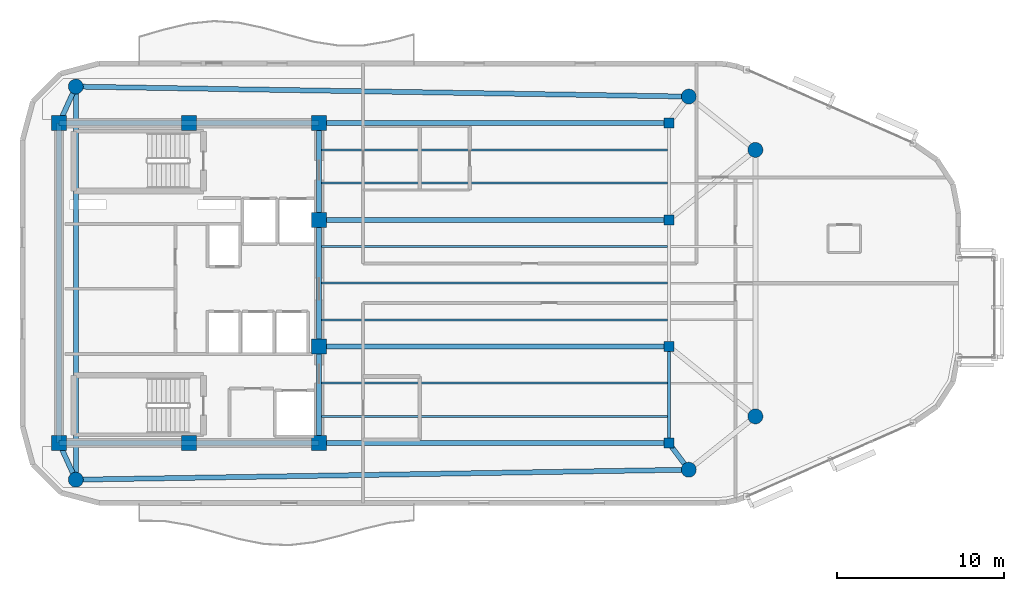
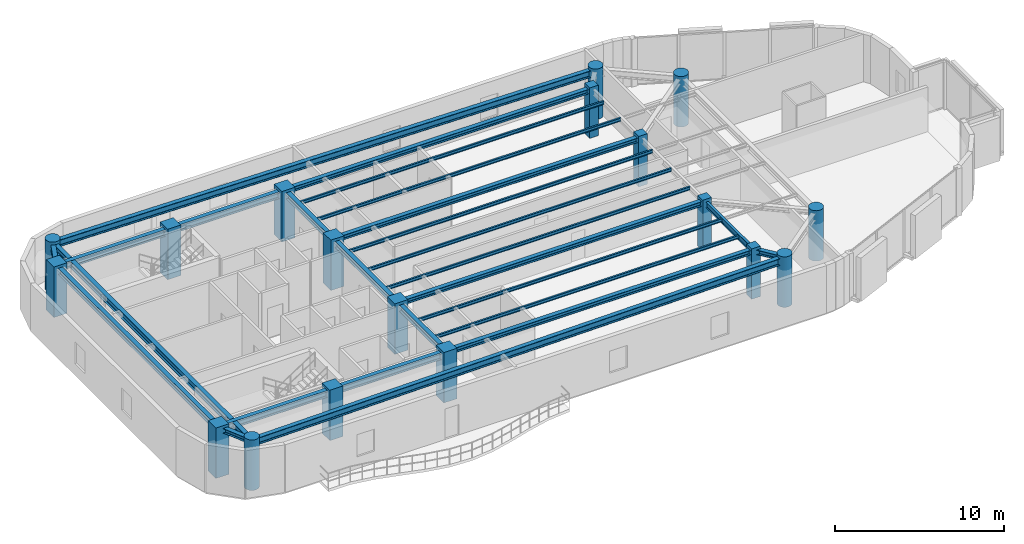
# One storey, part 1 of 13: 24 beams, 18 columns.
"""IFC4 building model written with IfcOpenShell, lengths in metres."""

from ifc_helpers import new_model, si_unit, direction, frame, origin, origin_2d, place, context, subcontext, project, spatial, rectangle, circle, i_section, extrude, material, material_profile, profile_set, type_object, element, save


model = new_model("IFC4")

# Units and contexts
model_context = context("Model", 3, precision=1e-05, world=origin(), true_north=direction((0.0, 1.0)))
body_context = subcontext(model_context, "Body", "Model", "MODEL_VIEW")
ifc_project = project(units=[si_unit("LENGTHUNIT", "METRE"), si_unit("AREAUNIT", "SQUARE_METRE"), si_unit("VOLUMEUNIT", "CUBIC_METRE"), si_unit("PLANEANGLEUNIT", "RADIAN"), si_unit("MASSUNIT", "GRAM", prefix="KILO")], contexts=[model_context])

# Site, building, storey
site_placement = place(None, origin())
site = spatial("IfcSite", under=ifc_project, at=site_placement, CompositionType="ELEMENT")
building_placement = place(site_placement, origin())
building = spatial("IfcBuilding", under=site, at=building_placement, Name="An Khanh Terracotta Commons", CompositionType="ELEMENT")
storey_placement = place(building_placement, frame((0.0, 0.0, 288.0)))
storey = spatial("IfcBuildingStorey", under=building, at=storey_placement, Name="L75", CompositionType="ELEMENT", Elevation=288.0)

# Columns
ifc_material_1 = material(Name="Concrete C50/60", Category="concrete")
ifc_material_profile_1 = material_profile(ifc_material_1, circle(Radius=0.449951171875, at=origin_2d()), Name="CFST900")
ifc_profile_set_1 = profile_set([ifc_material_profile_1], Name="Concrete C50/60")
column_type_1 = type_object("IfcColumnType", Name="COL-CFST900", PredefinedType="COLUMN", material=ifc_profile_set_1)
for number, where, z_axis, x_axis, name in (
    (1, (22.60009765625, 12.199951171875, 0.0), (0.0, 0.0, 1.0), (1.0, 0.0, 0.0), "L75 Perimeter CFST Mega-Column MC-01"),
    (2, (59.39990234375, 12.800048828125, 0.0), (0.0, 0.0, 1.0), (1.0, 0.0, 0.0), "L75 Perimeter CFST Mega-Column MC-02"),
    (3, (63.39990234375, 16.0, 0.0), (0.0, 0.0, 1.0), (1.0, 0.0, 0.0), "L75 Perimeter CFST Mega-Column MC-03"),
    (4, (63.39990234375, 32.0, 0.0), (0.0, 0.0, 1.0), (1.0, 0.0, 0.0), "L75 Perimeter CFST Mega-Column MC-04"),
    (5, (59.39990234375, 35.199951171875, 0.0), (0.0, 0.0, 1.0), (1.0, 0.0, 0.0), "L75 Perimeter CFST Mega-Column MC-05"),
    (6, (22.60009765625, 35.800048828125, 0.0), (0.0, 0.0, 1.0), (1.0, 0.0, 0.0), "L75 Perimeter CFST Mega-Column MC-06"),
):
    element("IfcColumn", number, at=place(storey_placement, frame(where, z_axis=z_axis, x_axis=x_axis)), inside=storey, type_object=column_type_1, Name=name, PredefinedType="COLUMN", context=body_context, shape_type="SweptSolid", body=[
        extrude(circle(Radius=0.449951171875, at=origin_2d()), origin(), (0.0, 0.0, 1.0), 3.64990234375),
    ])
ifc_material_profile_2 = material_profile(ifc_material_1, rectangle(XDim=0.60009765625, YDim=0.60009765625, at=origin_2d()), Name="RC600x600")
ifc_profile_set_2 = profile_set([ifc_material_profile_2], Name="Concrete C50/60")
column_type_2 = type_object("IfcColumnType", Name="COL-RC600x600", PredefinedType="COLUMN", material=ifc_profile_set_2)
for number, where, z_axis, x_axis, name in (
    (7, (58.199951171875, 14.39990234375, 0.0), (0.0, 0.0, 1.0), (1.0, 0.0, 0.0), "L75 Interior Frame Column TC-01"),
    (8, (58.199951171875, 20.199951171875, 0.0), (0.0, 0.0, 1.0), (1.0, 0.0, 0.0), "L75 Interior Frame Column TC-02"),
    (9, (58.199951171875, 27.800048828125, 0.0), (0.0, 0.0, 1.0), (1.0, 0.0, 0.0), "L75 Interior Frame Column TC-03"),
    (10, (58.199951171875, 33.60009765625, 0.0), (0.0, 0.0, 1.0), (1.0, 0.0, 0.0), "L75 Interior Frame Column TC-04"),
):
    element("IfcColumn", number, at=place(storey_placement, frame(where, z_axis=z_axis, x_axis=x_axis)), inside=storey, type_object=column_type_2, Name=name, PredefinedType="COLUMN", context=body_context, shape_type="SweptSolid", body=[
        extrude(rectangle(XDim=0.60009765625, YDim=0.60009765625, at=origin_2d()), origin(), (0.0, 0.0, 1.0), 3.64990234375),
    ])
ifc_material_profile_3 = material_profile(ifc_material_1, rectangle(XDim=0.89990234375, YDim=0.89990234375, at=origin_2d()), Name="RC900x900")
ifc_profile_set_3 = profile_set([ifc_material_profile_3], Name="Concrete C50/60")
column_type_3 = type_object("IfcColumnType", Name="COL-RC900x900", PredefinedType="COLUMN", material=ifc_profile_set_3)
for number, where, z_axis, x_axis, name in (
    (11, (21.60009765625, 14.39990234375, 0.0), (0.0, 0.0, 1.0), (1.0, 0.0, 0.0), "L75 Core Boundary Column CC-01"),
    (12, (29.39990234375, 14.39990234375, 0.0), (0.0, 0.0, 1.0), (1.0, 0.0, 0.0), "L75 Core Boundary Column CC-02"),
    (13, (37.199951171875, 14.39990234375, 0.0), (0.0, 0.0, 1.0), (1.0, 0.0, 0.0), "L75 Core Boundary Column CC-03"),
    (14, (37.199951171875, 20.199951171875, 0.0), (0.0, 0.0, 1.0), (1.0, 0.0, 0.0), "L75 Core Boundary Column CC-04"),
    (15, (37.199951171875, 27.800048828125, 0.0), (0.0, 0.0, 1.0), (1.0, 0.0, 0.0), "L75 Core Boundary Column CC-05"),
    (16, (37.199951171875, 33.60009765625, 0.0), (0.0, 0.0, 1.0), (1.0, 0.0, 0.0), "L75 Core Boundary Column CC-06"),
    (17, (29.39990234375, 33.60009765625, 0.0), (0.0, 0.0, 1.0), (1.0, 0.0, 0.0), "L75 Core Boundary Column CC-07"),
    (18, (21.60009765625, 33.60009765625, 0.0), (0.0, 0.0, 1.0), (1.0, 0.0, 0.0), "L75 Core Boundary Column CC-08"),
):
    element("IfcColumn", number, at=place(storey_placement, frame(where, z_axis=z_axis, x_axis=x_axis)), inside=storey, type_object=column_type_3, Name=name, PredefinedType="COLUMN", context=body_context, shape_type="SweptSolid", body=[
        extrude(rectangle(XDim=0.89990234375, YDim=0.89990234375, at=origin_2d()), origin(), (0.0, 0.0, 1.0), 3.64990234375),
    ])

# Beams
ifc_material_2 = material(Name="Steel S355J2", Category="steel")
ifc_material_profile_4 = material_profile(ifc_material_2, i_section(OverallWidth=0.300048828125, OverallDepth=0.340087890625, WebThickness=0.011962890625, FlangeThickness=0.021484375, FilletRadius=0.027099609375, at=origin_2d()), Name="HEB340")
ifc_profile_set_4 = profile_set([ifc_material_profile_4], Name="Steel S355J2")
beam_type_1 = type_object("IfcBeamType", Name="BM-HEB340", PredefinedType="BEAM", material=ifc_profile_set_4)
for number, where, z_axis, x_axis, name in (
    (19, (37.199951171875, 14.39990234375, 3.280029296875), (1.0, 0.0, 0.0), (0.0, 1.0, 0.0), "L75 East Primary Floor Girder 1"),
    (20, (37.199951171875, 20.199951171875, 3.280029296875), (1.0, 0.0, 0.0), (0.0, 1.0, 0.0), "L75 East Primary Floor Girder 2"),
    (21, (37.199951171875, 27.800048828125, 3.280029296875), (1.0, 0.0, 0.0), (0.0, 1.0, 0.0), "L75 East Primary Floor Girder 3"),
    (22, (37.199951171875, 33.60009765625, 3.280029296875), (1.0, 0.0, 0.0), (0.0, 1.0, 0.0), "L75 East Primary Floor Girder 4"),
):
    element("IfcBeam", number, at=place(storey_placement, frame(where, z_axis=z_axis, x_axis=x_axis)), inside=storey, type_object=beam_type_1, Name=name, PredefinedType="BEAM", context=body_context, shape_type="SweptSolid", body=[
        extrude(i_section(OverallWidth=0.300048828125, OverallDepth=0.340087890625, WebThickness=0.011962890625, FlangeThickness=0.021484375, FilletRadius=0.027099609375, at=origin_2d()), origin(), (0.0, 0.0, 1.0), 21.0),
    ])
beam_1_placement = place(storey_placement, frame((22.60009765625, 12.199951171875, 3.280029296875), z_axis=(-0.413810555983, 0.910363017569, 0.0), x_axis=(-0.910363017569, -0.413810555983, 0.0)))
element("IfcBeam", 23, at=beam_1_placement, inside=storey, type_object=beam_type_1, Name="L75 Mega-Column Tie Girder 1", PredefinedType="BEAM", context=body_context, shape_type="SweptSolid", body=[
    extrude(i_section(OverallWidth=0.300048828125, OverallDepth=0.340087890625, WebThickness=0.011962890625, FlangeThickness=0.021484375, FilletRadius=0.027099609375, at=origin_2d()), origin(), (0.0, 0.0, 1.0), 2.41650390625),
])
beam_2_placement = place(storey_placement, frame((59.39990234375, 12.800048828125, 3.280029296875), z_axis=(-0.600019532502, 0.799985350251, 0.0), x_axis=(-0.799985350251, -0.600019532502, 0.0)))
element("IfcBeam", 24, at=beam_2_placement, inside=storey, type_object=beam_type_1, Name="L75 Mega-Column Tie Girder 2", PredefinedType="BEAM", context=body_context, shape_type="SweptSolid", body=[
    extrude(i_section(OverallWidth=0.300048828125, OverallDepth=0.340087890625, WebThickness=0.011962890625, FlangeThickness=0.021484375, FilletRadius=0.027099609375, at=origin_2d()), origin(), (0.0, 0.0, 1.0), 1.999755859375),
])
beam_3_placement = place(storey_placement, frame((22.60009765625, 35.800048828125, 3.280029296875), z_axis=(-0.413810555983, -0.910363017569, 0.0), x_axis=(0.910363017569, -0.413810555983, 0.0)))
element("IfcBeam", 25, at=beam_3_placement, inside=storey, type_object=beam_type_1, Name="L75 Mega-Column Tie Girder 6", PredefinedType="BEAM", context=body_context, shape_type="SweptSolid", body=[
    extrude(i_section(OverallWidth=0.300048828125, OverallDepth=0.340087890625, WebThickness=0.011962890625, FlangeThickness=0.021484375, FilletRadius=0.027099609375, at=origin_2d()), origin(), (0.0, 0.0, 1.0), 2.41650390625),
])
ifc_material_profile_5 = material_profile(ifc_material_2, i_section(OverallWidth=0.300048828125, OverallDepth=0.449951171875, WebThickness=0.013916015625, FlangeThickness=0.02587890625, FilletRadius=0.027099609375, at=origin_2d()), Name="HEB450")
ifc_profile_set_5 = profile_set([ifc_material_profile_5], Name="Steel S355J2")
beam_type_2 = type_object("IfcBeamType", Name="BM-HEB450", PredefinedType="BEAM", material=ifc_profile_set_5)
beam_4_placement = place(storey_placement, frame((37.199951171875, 14.39990234375, 3.22509765625), z_axis=(0.0, 1.0, 0.0), x_axis=(-1.0, 0.0, 0.0)))
element("IfcBeam", 26, at=beam_4_placement, inside=storey, type_object=beam_type_2, Name="L75 Core East Coupling Girder 1", PredefinedType="BEAM", context=body_context, shape_type="SweptSolid", body=[
    extrude(i_section(OverallWidth=0.300048828125, OverallDepth=0.449951171875, WebThickness=0.013916015625, FlangeThickness=0.02587890625, FilletRadius=0.027099609375, at=origin_2d()), origin(), (0.0, 0.0, 1.0), 5.800048828125),
])
beam_5_placement = place(storey_placement, frame((37.199951171875, 20.199951171875, 3.22509765625), z_axis=(0.0, 1.0, 0.0), x_axis=(-1.0, 0.0, 0.0)))
element("IfcBeam", 27, at=beam_5_placement, inside=storey, type_object=beam_type_2, Name="L75 Core East Coupling Girder 2", PredefinedType="BEAM", context=body_context, shape_type="SweptSolid", body=[
    extrude(i_section(OverallWidth=0.300048828125, OverallDepth=0.449951171875, WebThickness=0.013916015625, FlangeThickness=0.02587890625, FilletRadius=0.027099609375, at=origin_2d()), origin(), (0.0, 0.0, 1.0), 7.60009765625),
])
beam_6_placement = place(storey_placement, frame((37.199951171875, 27.800048828125, 3.22509765625), z_axis=(0.0, 1.0, 0.0), x_axis=(-1.0, 0.0, 0.0)))
element("IfcBeam", 28, at=beam_6_placement, inside=storey, type_object=beam_type_2, Name="L75 Core East Coupling Girder 3", PredefinedType="BEAM", context=body_context, shape_type="SweptSolid", body=[
    extrude(i_section(OverallWidth=0.300048828125, OverallDepth=0.449951171875, WebThickness=0.013916015625, FlangeThickness=0.02587890625, FilletRadius=0.027099609375, at=origin_2d()), origin(), (0.0, 0.0, 1.0), 5.800048828125),
])
beam_7_placement = place(storey_placement, frame((21.60009765625, 14.39990234375, 3.22509765625), z_axis=(0.0, 1.0, 0.0), x_axis=(-1.0, 0.0, 0.0)))
element("IfcBeam", 29, at=beam_7_placement, inside=storey, type_object=beam_type_2, Name="L75 Core West Coupling Girder", PredefinedType="BEAM", context=body_context, shape_type="SweptSolid", body=[
    extrude(i_section(OverallWidth=0.300048828125, OverallDepth=0.449951171875, WebThickness=0.013916015625, FlangeThickness=0.02587890625, FilletRadius=0.027099609375, at=origin_2d()), origin(), (0.0, 0.0, 1.0), 19.2001953125),
])
ifc_material_profile_6 = material_profile(ifc_material_2, i_section(OverallWidth=0.300048828125, OverallDepth=0.5, WebThickness=0.014404296875, FlangeThickness=0.028076171875, FilletRadius=0.027099609375, at=origin_2d()), Name="HEB500")
ifc_profile_set_6 = profile_set([ifc_material_profile_6], Name="Steel S355J2")
beam_type_3 = type_object("IfcBeamType", Name="BM-HEB500", PredefinedType="BEAM", material=ifc_profile_set_6)
for number, where, z_axis, x_axis, name in (
    (30, (21.60009765625, 14.39990234375, 3.199951171875), (1.0, 0.0, 0.0), (0.0, 1.0, 0.0), "L75 Core South Coupling Girder"),
    (31, (21.60009765625, 33.60009765625, 3.199951171875), (1.0, 0.0, 0.0), (0.0, 1.0, 0.0), "L75 Core North Coupling Girder"),
):
    element("IfcBeam", number, at=place(storey_placement, frame(where, z_axis=z_axis, x_axis=x_axis)), inside=storey, type_object=beam_type_3, Name=name, PredefinedType="BEAM", context=body_context, shape_type="SweptSolid", body=[
        extrude(i_section(OverallWidth=0.300048828125, OverallDepth=0.5, WebThickness=0.014404296875, FlangeThickness=0.028076171875, FilletRadius=0.027099609375, at=origin_2d()), origin(), (0.0, 0.0, 1.0), 15.599853515625),
    ])
for number, where, z_axis, x_axis, name in (
    (32, (22.60009765625, 12.199951171875, 3.199951171875), (0.999867065951, 0.01630492031, 0.0), (-0.01630492031, 0.999867065951, 0.0), "L75 Perimeter Ring Spandrel 1"),
    (33, (59.39990234375, 35.199951171875, 3.199951171875), (-0.999867065951, 0.01630492031, 0.0), (-0.01630492031, -0.999867065951, 0.0), "L75 Perimeter Ring Spandrel 5"),
):
    element("IfcBeam", number, at=place(storey_placement, frame(where, z_axis=z_axis, x_axis=x_axis)), inside=storey, type_object=beam_type_3, Name=name, PredefinedType="BEAM", context=body_context, shape_type="SweptSolid", body=[
        extrude(i_section(OverallWidth=0.300048828125, OverallDepth=0.5, WebThickness=0.014404296875, FlangeThickness=0.028076171875, FilletRadius=0.027099609375, at=origin_2d()), origin(), (0.0, 0.0, 1.0), 36.8046875),
    ])
beam_8_placement = place(storey_placement, frame((22.60009765625, 35.800048828125, 3.199951171875), z_axis=(0.0, -1.0, 0.0), x_axis=(1.0, 0.0, 0.0)))
element("IfcBeam", 34, at=beam_8_placement, inside=storey, type_object=beam_type_3, Name="L75 Perimeter Ring Spandrel 6", PredefinedType="BEAM", context=body_context, shape_type="SweptSolid", body=[
    extrude(i_section(OverallWidth=0.300048828125, OverallDepth=0.5, WebThickness=0.014404296875, FlangeThickness=0.028076171875, FilletRadius=0.027099609375, at=origin_2d()), origin(), (0.0, 0.0, 1.0), 23.60009765625),
])
ifc_material_profile_7 = material_profile(ifc_material_2, i_section(OverallWidth=0.1201171875, OverallDepth=0.239990234375, WebThickness=0.006103515625, FlangeThickness=0.009765625, FilletRadius=0.014892578125, at=origin_2d()), Name="IPE240")
ifc_profile_set_7 = profile_set([ifc_material_profile_7], Name="Steel S355J2")
beam_type_4 = type_object("IfcBeamType", Name="BM-IPE240", PredefinedType="JOIST", material=ifc_profile_set_7)
for number, where, z_axis, x_axis, name in (
    (35, (37.199951171875, 16.0, 3.330078125), (1.0, 0.0, 0.0), (0.0, 1.0, 0.0), "L75 Inboard Composite Joist 1"),
    (36, (37.199951171875, 18.0, 3.330078125), (1.0, 0.0, 0.0), (0.0, 1.0, 0.0), "L75 Inboard Composite Joist 2"),
    (37, (37.199951171875, 21.800048828125, 3.330078125), (1.0, 0.0, 0.0), (0.0, 1.0, 0.0), "L75 Inboard Composite Joist 3"),
    (38, (37.199951171875, 24.0, 3.330078125), (1.0, 0.0, 0.0), (0.0, 1.0, 0.0), "L75 Inboard Composite Joist 4"),
    (39, (37.199951171875, 26.199951171875, 3.330078125), (1.0, 0.0, 0.0), (0.0, 1.0, 0.0), "L75 Inboard Composite Joist 5"),
    (40, (37.199951171875, 30.0, 3.330078125), (1.0, 0.0, 0.0), (0.0, 1.0, 0.0), "L75 Inboard Composite Joist 6"),
    (41, (37.199951171875, 32.0, 3.330078125), (1.0, 0.0, 0.0), (0.0, 1.0, 0.0), "L75 Inboard Composite Joist 7"),
):
    element("IfcBeam", number, at=place(storey_placement, frame(where, z_axis=z_axis, x_axis=x_axis)), inside=storey, type_object=beam_type_4, Name=name, PredefinedType="JOIST", context=body_context, shape_type="SweptSolid", body=[
        extrude(i_section(OverallWidth=0.1201171875, OverallDepth=0.239990234375, WebThickness=0.006103515625, FlangeThickness=0.009765625, FilletRadius=0.014892578125, at=origin_2d()), origin(), (0.0, 0.0, 1.0), 20.91015625),
    ])
ifc_material_profile_8 = material_profile(ifc_material_2, i_section(OverallWidth=0.179931640625, OverallDepth=0.39990234375, WebThickness=0.008544921875, FlangeThickness=0.013427734375, FilletRadius=0.02099609375, at=origin_2d()), Name="IPE400")
ifc_profile_set_8 = profile_set([ifc_material_profile_8], Name="Steel S355J2")
beam_type_5 = type_object("IfcBeamType", Name="BM-IPE400", PredefinedType="JOIST", material=ifc_profile_set_8)
beam_9_placement = place(storey_placement, frame((58.199951171875, 14.550048828125, 3.25), z_axis=(0.0, 1.0, 0.0), x_axis=(-1.0, 0.0, 0.0)))
element("IfcBeam", 42, at=beam_9_placement, inside=storey, type_object=beam_type_5, Name="L75 East Spine Girder 1", PredefinedType="JOIST", context=body_context, shape_type="SweptSolid", body=[
    extrude(i_section(OverallWidth=0.179931640625, OverallDepth=0.39990234375, WebThickness=0.008544921875, FlangeThickness=0.013427734375, FilletRadius=0.02099609375, at=origin_2d()), origin(), (0.0, 0.0, 1.0), 5.5),
])

save(model, "model.ifc")
